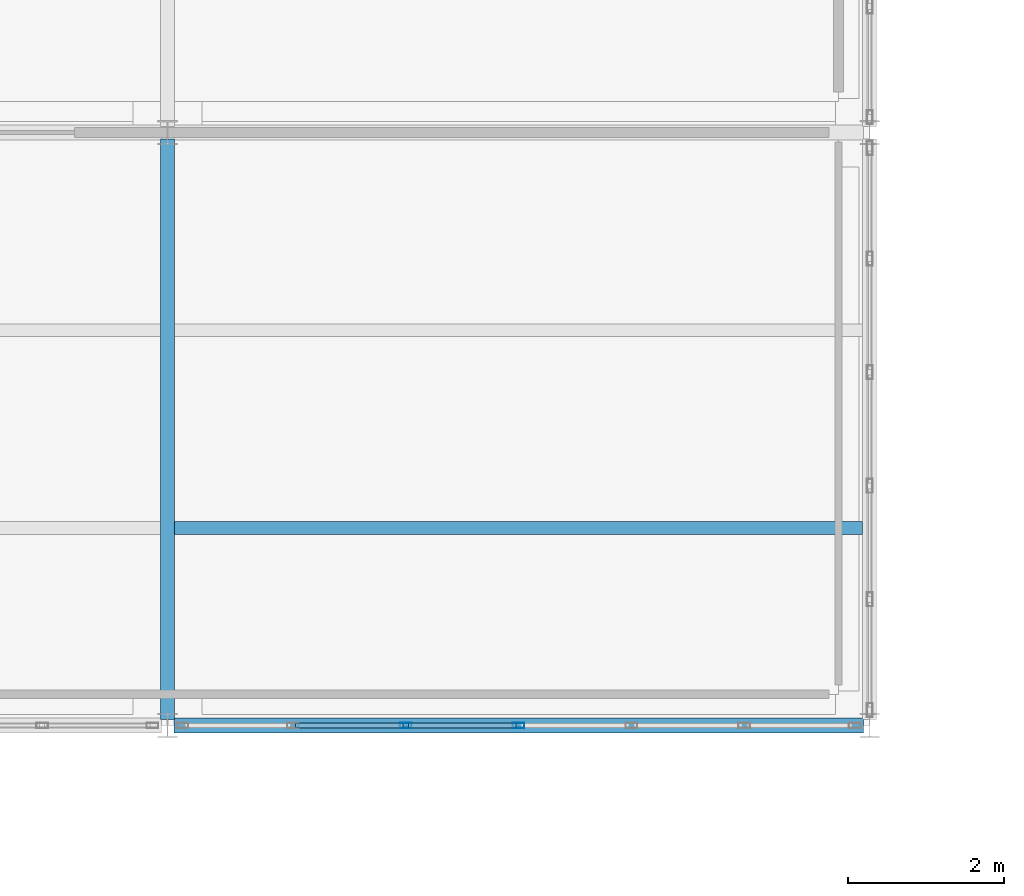
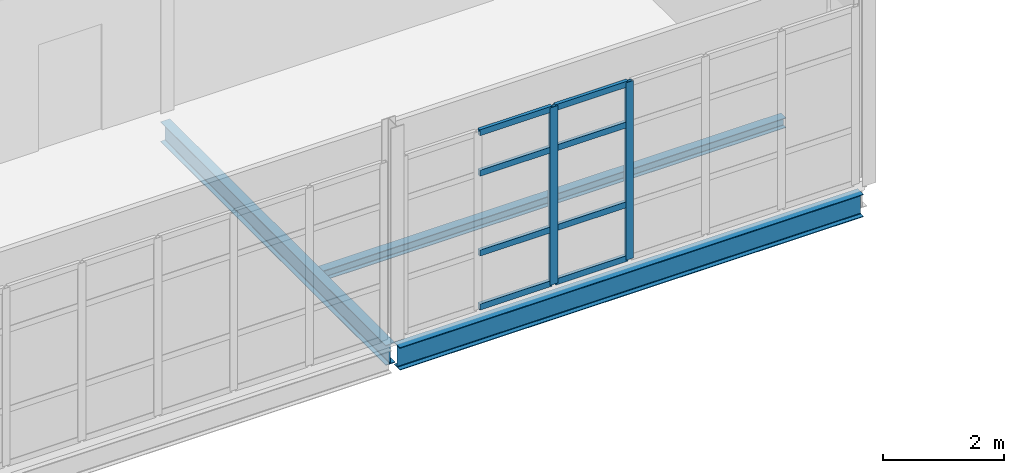
# One storey, part 69 of 174: 10 members, 3 beams, 1 element without a shape of its own.
"""IFC4 building model written with IfcOpenShell, lengths in metres."""

import ifcopenshell
import ifcopenshell.guid

model = None  # the IFC model being written
_history = None  # IfcOwnerHistory: only IFC2X3 demands one
_inside = {}  # id of a spatial element -> (the spatial element, [elements in it])
_under = {}  # id of a project, library or spatial element -> (it, [spatial elements below it])
_declared = {}  # id of a project -> (the project, [libraries it declares])
_typed = {}  # id of a type object -> (the type object, [elements of that type])
_made_of = {}  # id of a material, layer set ... -> (it, [elements and type objects made of it])


def new_model(schema):
    """Start an empty IFC model of exactly this schema.

    Asked for "IFC4X3", IfcOpenShell would pick the latest addendum, in which some entities
    have other attributes; the version numbers below select the first issue.
    IFC2X3 requires an IfcOwnerHistory on every rooted entity: one is made here for all.
    """
    global model, _history
    if schema == "IFC4X3":
        model = ifcopenshell.file(schema_version=(4, 3, 0, 0))
    else:
        model = ifcopenshell.file(schema=schema)
    _inside.clear()
    _under.clear()
    _declared.clear()
    _typed.clear()
    _made_of.clear()
    _history = None
    if model.schema == "IFC2X3":
        org = make("IfcOrganization", Name="unknown")
        user = make(
            "IfcPersonAndOrganization",
            ThePerson=make("IfcPerson", FamilyName="unknown"),
            TheOrganization=org,
        )
        app = make(
            "IfcApplication",
            ApplicationDeveloper=org,
            Version="unknown",
            ApplicationFullName="unknown",
            ApplicationIdentifier="unknown",
        )
        _history = make(
            "IfcOwnerHistory",
            OwningUser=user,
            OwningApplication=app,
            ChangeAction="ADDED",
            CreationDate=0,
        )
    return model


def make(cls, **values):
    """One entity of the class cls with the attributes given. An attribute that is None is left unset."""
    return model.create_entity(
        cls, **{name: value for name, value in values.items() if value is not None}
    )


def rooted(cls, **values):
    """An entity with a GlobalId (a new one), such as an element, a storey or a relation."""
    return make(cls, GlobalId=ifcopenshell.guid.new(), OwnerHistory=_history, **values)


def si_unit(unit_type, name, prefix=None):
    """IfcSIUnit, for example si_unit("LENGTHUNIT", "METRE", prefix="MILLI")."""
    return make("IfcSIUnit", UnitType=unit_type, Prefix=prefix, Name=name)


def assignment(units):
    """IfcUnitAssignment: the units of a project."""
    return None if units is None else make("IfcUnitAssignment", Units=units)


def point(xyz):
    """IfcCartesianPoint."""
    return None if xyz is None else make("IfcCartesianPoint", Coordinates=xyz)


def direction(xyz):
    """IfcDirection."""
    return None if xyz is None else make("IfcDirection", DirectionRatios=xyz)


def frame(location, z_axis=None, x_axis=None):
    """IfcAxis2Placement3D, a coordinate frame: its origin and axes. An axis left out is left unset."""
    return make(
        "IfcAxis2Placement3D",
        Location=point(location),
        Axis=direction(z_axis),
        RefDirection=direction(x_axis),
    )


def frame_2d(location, x_axis=None):
    """IfcAxis2Placement2D, a coordinate frame in the plane: its origin and x axis."""
    return make(
        "IfcAxis2Placement2D", Location=point(location), RefDirection=direction(x_axis)
    )


def origin():
    """The frame at (0, 0, 0) with its axes left unset."""
    return frame((0.0, 0.0, 0.0))


def origin_2d():
    """The frame at (0, 0) in the plane with its x axis left unset."""
    return frame_2d((0.0, 0.0))


def place(relative_to, where):
    """IfcLocalPlacement: puts the frame where relative to a parent placement (None: the world)."""
    return make(
        "IfcLocalPlacement", PlacementRelTo=relative_to, RelativePlacement=where
    )


def context(
    kind, dimensions, precision=None, world=None, true_north=None, identifier=None
):
    """IfcGeometricRepresentationContext, for example the 3D "Model" context."""
    return make(
        "IfcGeometricRepresentationContext",
        ContextIdentifier=identifier,
        ContextType=kind,
        CoordinateSpaceDimension=dimensions,
        Precision=precision,
        WorldCoordinateSystem=world,
        TrueNorth=true_north,
    )


def subcontext(parent, identifier, kind, view, scale=None):
    """IfcGeometricRepresentationSubContext, for example "Body" below "Model"."""
    return make(
        "IfcGeometricRepresentationSubContext",
        ContextIdentifier=identifier,
        ContextType=kind,
        ParentContext=parent,
        TargetScale=scale,
        TargetView=view,
    )


def project(units=None, contexts=None):
    """IfcProject with its units and contexts."""
    return rooted(
        "IfcProject",
        Name="project",
        RepresentationContexts=contexts,
        UnitsInContext=assignment(units),
    )


def spatial(cls, under=None, at=None, **own):
    """A site, building, storey or space (cls), placed at a placement, below another one or the project."""
    s = rooted(cls, ObjectPlacement=at, **own)
    if under is not None:
        _under.setdefault(under.id(), (under, []))[1].append(s)
    return s


def profile(cls, at=None, kind="AREA", **sizes):
    """A parametric profile (cls). Its sizes go by their IFC names, for example OverallWidth=200.0."""
    return make(cls, ProfileType=kind, Position=at, **sizes)


def hollow_rectangle(**sizes):
    """IfcRectangleHollowProfileDef."""
    return profile("IfcRectangleHollowProfileDef", **sizes)


def i_section(**sizes):
    """IfcIShapeProfileDef."""
    return profile("IfcIShapeProfileDef", **sizes)


def extrude(swept, where, along, depth):
    """IfcExtrudedAreaSolid: the profile swept, set in the frame where, extruded along a direction by depth."""
    return make(
        "IfcExtrudedAreaSolid",
        SweptArea=swept,
        Position=where,
        ExtrudedDirection=direction(along),
        Depth=depth,
    )


def shape(context_of_items, identifier, shape_type, items):
    """IfcShapeRepresentation: the items that make up one representation, for example the "Body"."""
    return make(
        "IfcShapeRepresentation",
        ContextOfItems=context_of_items,
        RepresentationIdentifier=identifier,
        RepresentationType=shape_type,
        Items=items,
    )


def material(Name=None, Category=None):
    """IfcMaterial."""
    return make("IfcMaterial", Name=Name, Category=Category)


def material_profile(
    of_material, cross_section, Name=None, Category=None, Priority=None
):
    """IfcMaterialProfile: a cross section and its material."""
    return make(
        "IfcMaterialProfile",
        Name=Name,
        Material=of_material,
        Profile=cross_section,
        Priority=Priority,
        Category=Category,
    )


def profile_set(profiles, Name=None, composite=None):
    """IfcMaterialProfileSet."""
    return make(
        "IfcMaterialProfileSet",
        Name=Name,
        MaterialProfiles=profiles,
        CompositeProfile=composite,
    )


def made_of(thing, what):
    """Note that an element or type object is made of a material, layer set ...; save() writes the relation."""
    if what is not None:
        _made_of.setdefault(what.id(), (what, []))[1].append(thing)
    return thing


def type_object(cls, material=None, **own):
    """A type object (cls), such as IfcWallType, which elements share."""
    return made_of(rooted(cls, **own), material)


def element(
    cls,
    number,
    at=None,
    inside=None,
    cuts=None,
    type_object=None,
    material=None,
    context=None,
    identifier="Body",
    shape_type=None,
    held_by="IfcProductDefinitionShape",
    body=None,
    shapes=None,
    **own,
):
    """One element of the class cls, such as IfcWall. Its Tag is "e" and its number.

    at: its placement. inside: the storey or other place that contains it. cuts: it is an
    opening in that element (IfcRelVoidsElement). A single representation is given by context,
    identifier, shape_type and body (its items); several are given by shapes. held_by: the class
    of the entity that holds the representations. save() writes the other relations.
    """
    e = rooted(cls, Tag="e%d" % number, ObjectPlacement=at, **own)
    if body is not None:
        shapes = [shape(context, identifier, shape_type, body)]
    if shapes is not None:
        e.Representation = make(held_by, Representations=shapes)
    if inside is not None:
        _inside.setdefault(inside.id(), (inside, []))[1].append(e)
    if cuts is not None:
        rooted(
            "IfcRelVoidsElement", RelatingBuildingElement=cuts, RelatedOpeningElement=e
        )
    if type_object is not None:
        _typed.setdefault(type_object.id(), (type_object, []))[1].append(e)
    return made_of(e, material)


def aggregate(whole, parts):
    """IfcRelAggregates: a whole, such as a stair, and the parts it consists of."""
    return rooted("IfcRelAggregates", RelatingObject=whole, RelatedObjects=parts)


def save(model, path):
    """Write the relations noted so far, then the file.

    IfcRelAggregates (storeys below a building ...), IfcRelContainedInSpatialStructure (elements
    in a storey), IfcRelDefinesByType, IfcRelAssociatesMaterial and IfcRelDeclares: one each for
    every whole, place, type object, material and project.
    """
    for whole, parts in _under.values():
        aggregate(whole, parts)
    for where, things in _inside.values():
        rooted(
            "IfcRelContainedInSpatialStructure",
            RelatedElements=things,
            RelatingStructure=where,
        )
    for kind, things in _typed.values():
        rooted("IfcRelDefinesByType", RelatedObjects=things, RelatingType=kind)
    for what, things in _made_of.values():
        rooted("IfcRelAssociatesMaterial", RelatedObjects=things, RelatingMaterial=what)
    for by, libraries in _declared.values():
        rooted("IfcRelDeclares", RelatingContext=by, RelatedDefinitions=libraries)
    model.write(path)


model = new_model("IFC4")

# Units and contexts
model_context = context("Model", 3, precision=1e-05, world=origin(), true_north=direction((0.0, 1.0)))
body_context = subcontext(model_context, "Body", "Model", "MODEL_VIEW")
ifc_project = project(units=[si_unit("LENGTHUNIT", "METRE"), si_unit("AREAUNIT", "SQUARE_METRE"), si_unit("VOLUMEUNIT", "CUBIC_METRE"), si_unit("PLANEANGLEUNIT", "RADIAN"), si_unit("MASSUNIT", "GRAM", prefix="KILO")], contexts=[model_context])

# Site, building, storey
site_placement = place(None, origin())
site = spatial("IfcSite", under=ifc_project, at=site_placement, CompositionType="ELEMENT")
building_placement = place(site_placement, origin())
building = spatial("IfcBuilding", under=site, at=building_placement, Name="Caisbarro Railhouse Central Library", CompositionType="ELEMENT")
storey_placement = place(building_placement, frame((0.0, 0.0, 5.0400390625)))
storey = spatial("IfcBuildingStorey", under=building, at=storey_placement, Name="L01", CompositionType="ELEMENT", Elevation=5.0400390625)

# Beams
ifc_material_1 = material(Name="Steel ASTM A572 Grade 50", Category="steel")
ifc_material_profile_1 = material_profile(ifc_material_1, i_section(OverallWidth=0.177978515625, OverallDepth=0.406982421875, WebThickness=0.0078125, FlangeThickness=0.0126953125, FilletRadius=0.01611328125, at=origin_2d()), Name="W410X60.0")
ifc_profile_set_1 = profile_set([ifc_material_profile_1], Name="Steel ASTM A572 Grade 50")
beam_type_1 = type_object("IfcBeamType", Name="BM-G10", PredefinedType="BEAM", material=ifc_profile_set_1)
beam_1_placement = place(storey_placement, frame((27.0, 83.679931640625, -0.403564453125), z_axis=(0.0, 1.0, 0.0), x_axis=(-1.0, 0.0, 0.0)))
element("IfcBeam", 1, at=beam_1_placement, inside=storey, type_object=beam_type_1, Name="G10 beam L01 #1033", PredefinedType="BEAM", context=body_context, shape_type="SweptSolid", body=[
    extrude(i_section(OverallWidth=0.177978515625, OverallDepth=0.406982421875, WebThickness=0.0078125, FlangeThickness=0.0126953125, FilletRadius=0.01611328125, at=origin_2d()), origin(), (0.0, 0.0, 1.0), 7.440185546875),
])
ifc_material_profile_2 = material_profile(ifc_material_1, i_section(OverallWidth=0.1650390625, OverallDepth=0.200927734375, WebThickness=0.006103515625, FlangeThickness=0.01025390625, FilletRadius=0.010009765625, at=origin_2d()), Name="W200X35.9")
ifc_profile_set_2 = profile_set([ifc_material_profile_2], Name="Steel ASTM A572 Grade 50")
beam_type_2 = type_object("IfcBeamType", Name="BM-J06", PredefinedType="JOIST", material=ifc_profile_set_2)
beam_2_placement = place(storey_placement, frame((27.089111328125, 86.13330078125, -0.300537109375), z_axis=(1.0, 0.0, 0.0), x_axis=(0.0, 1.0, 0.0)))
element("IfcBeam", 2, at=beam_2_placement, inside=storey, type_object=beam_type_2, Name="J06 beam L01 #1051", PredefinedType="JOIST", context=body_context, shape_type="SweptSolid", body=[
    extrude(i_section(OverallWidth=0.1650390625, OverallDepth=0.200927734375, WebThickness=0.006103515625, FlangeThickness=0.01025390625, FilletRadius=0.010009765625, at=origin_2d()), origin(), (0.0, 0.0, 1.0), 8.82177734375),
])
ifc_material_profile_3 = material_profile(ifc_material_1, i_section(OverallWidth=0.18994140625, OverallDepth=0.45703125, WebThickness=0.009033203125, FlangeThickness=0.014404296875, FilletRadius=0.01806640625, at=origin_2d()), Name="W460X74.0")
ifc_profile_set_3 = profile_set([ifc_material_profile_3], Name="Steel ASTM A572 Grade 50")
beam_type_3 = type_object("IfcBeamType", Name="BM-SP01", PredefinedType="SPANDREL", material=ifc_profile_set_3)
beam_3_placement = place(storey_placement, frame((27.080078125, 83.60009765625, -0.428466796875), z_axis=(1.0, 0.0, 0.0), x_axis=(0.0, 1.0, 0.0)))
element("IfcBeam", 3, at=beam_3_placement, inside=storey, type_object=beam_type_3, Name="SP01 beam L01 #1011", PredefinedType="SPANDREL", context=body_context, shape_type="SweptSolid", body=[
    extrude(i_section(OverallWidth=0.18994140625, OverallDepth=0.45703125, WebThickness=0.009033203125, FlangeThickness=0.014404296875, FilletRadius=0.01806640625, at=origin_2d()), origin(), (0.0, 0.0, 1.0), 8.83984375),
])

# Curtain wall, members
ifc_material_2 = material(Name="Anodised architectural aluminium", Category="aluminium")
curtain_wall_type = type_object("IfcCurtainWallType", Name="CW-CW02", PredefinedType="NOTDEFINED", material=ifc_material_2)
curtain_wall_placement = place(storey_placement, origin())
curtain_wall = element("IfcCurtainWall", 4, at=curtain_wall_placement, inside=storey, type_object=curtain_wall_type, Name="CW02 curtain wall L01 #82", PredefinedType="NOTDEFINED")
ifc_material_profile_4 = material_profile(ifc_material_2, hollow_rectangle(XDim=0.06494140625, YDim=0.14990234375, WallThickness=0.00390625, at=origin_2d()), Name="ALU-MUL-65X150")
ifc_profile_set_4 = profile_set([ifc_material_profile_4], Name="Anodised architectural aluminium")
member_type_1 = type_object("IfcMemberType", Name="CWM-M02", PredefinedType="MULLION", material=ifc_profile_set_4)
member_1_placement = place(storey_placement, frame((30.05322265625, 83.60009765625, 0.0), z_axis=(0.0, 0.0, 1.0), x_axis=(0.0, 1.0, 0.0)))
member_1 = element("IfcMember", 5, at=member_1_placement, type_object=member_type_1, Name="CW02 mullion 3", PredefinedType="MULLION", context=body_context, shape_type="SweptSolid", body=[
    extrude(hollow_rectangle(XDim=0.06494140625, YDim=0.14990234375, WallThickness=0.00390625, at=origin_2d()), origin(), (0.0, 0.0, 1.0), 3.580078125),
])
member_2_placement = place(storey_placement, frame((31.5, 83.60009765625, 0.0), z_axis=(0.0, 0.0, 1.0), x_axis=(0.0, 1.0, 0.0)))
member_2 = element("IfcMember", 6, at=member_2_placement, type_object=member_type_1, Name="CW02 mullion 4", PredefinedType="MULLION", context=body_context, shape_type="SweptSolid", body=[
    extrude(hollow_rectangle(XDim=0.06494140625, YDim=0.14990234375, WallThickness=0.00390625, at=origin_2d()), origin(), (0.0, 0.0, 1.0), 3.580078125),
])
ifc_material_profile_5 = material_profile(ifc_material_2, hollow_rectangle(XDim=0.06494140625, YDim=0.1201171875, WallThickness=0.00341796875, at=origin_2d()), Name="ALU-TRN-65X120")
ifc_profile_set_5 = profile_set([ifc_material_profile_5], Name="Anodised architectural aluminium")
member_type_2 = type_object("IfcMemberType", Name="CWT-T02", PredefinedType="USERDEFINED", material=ifc_profile_set_5)
member_3_placement = place(storey_placement, frame((28.63916015625, 83.60009765625, 0.032470703125), z_axis=(1.0, 0.0, 0.0), x_axis=(0.0, 1.0, 0.0)))
member_3 = element("IfcMember", 7, at=member_3_placement, type_object=member_type_2, Name="CW02 transom 2.1", ObjectType="TRANSOM", PredefinedType="USERDEFINED", context=body_context, shape_type="SweptSolid", body=[
    extrude(hollow_rectangle(XDim=0.06494140625, YDim=0.1201171875, WallThickness=0.00341796875, at=origin_2d()), origin(), (0.0, 0.0, 1.0), 1.381591796875),
])
member_4_placement = place(storey_placement, frame((28.63916015625, 83.60009765625, 1.119873046875), z_axis=(1.0, 0.0, 0.0), x_axis=(0.0, 1.0, 0.0)))
member_4 = element("IfcMember", 8, at=member_4_placement, type_object=member_type_2, Name="CW02 transom 2.2", ObjectType="TRANSOM", PredefinedType="USERDEFINED", context=body_context, shape_type="SweptSolid", body=[
    extrude(hollow_rectangle(XDim=0.06494140625, YDim=0.1201171875, WallThickness=0.00341796875, at=origin_2d()), origin(), (0.0, 0.0, 1.0), 1.381591796875),
])
member_5_placement = place(storey_placement, frame((28.63916015625, 83.60009765625, 2.72998046875), z_axis=(1.0, 0.0, 0.0), x_axis=(0.0, 1.0, 0.0)))
member_5 = element("IfcMember", 9, at=member_5_placement, type_object=member_type_2, Name="CW02 transom 2.3", ObjectType="TRANSOM", PredefinedType="USERDEFINED", context=body_context, shape_type="SweptSolid", body=[
    extrude(hollow_rectangle(XDim=0.06494140625, YDim=0.1201171875, WallThickness=0.00341796875, at=origin_2d()), origin(), (0.0, 0.0, 1.0), 1.381591796875),
])
member_6_placement = place(storey_placement, frame((28.63916015625, 83.60009765625, 3.54736328125), z_axis=(1.0, 0.0, 0.0), x_axis=(0.0, 1.0, 0.0)))
member_6 = element("IfcMember", 10, at=member_6_placement, type_object=member_type_2, Name="CW02 transom 2.4", ObjectType="TRANSOM", PredefinedType="USERDEFINED", context=body_context, shape_type="SweptSolid", body=[
    extrude(hollow_rectangle(XDim=0.06494140625, YDim=0.1201171875, WallThickness=0.00341796875, at=origin_2d()), origin(), (0.0, 0.0, 1.0), 1.381591796875),
])
member_7_placement = place(storey_placement, frame((30.0859375, 83.60009765625, 0.032470703125), z_axis=(1.0, 0.0, 0.0), x_axis=(0.0, 1.0, 0.0)))
member_7 = element("IfcMember", 11, at=member_7_placement, type_object=member_type_2, Name="CW02 transom 3.1", ObjectType="TRANSOM", PredefinedType="USERDEFINED", context=body_context, shape_type="SweptSolid", body=[
    extrude(hollow_rectangle(XDim=0.06494140625, YDim=0.1201171875, WallThickness=0.00341796875, at=origin_2d()), origin(), (0.0, 0.0, 1.0), 1.381591796875),
])
member_8_placement = place(storey_placement, frame((30.0859375, 83.60009765625, 1.119873046875), z_axis=(1.0, 0.0, 0.0), x_axis=(0.0, 1.0, 0.0)))
member_8 = element("IfcMember", 12, at=member_8_placement, type_object=member_type_2, Name="CW02 transom 3.2", ObjectType="TRANSOM", PredefinedType="USERDEFINED", context=body_context, shape_type="SweptSolid", body=[
    extrude(hollow_rectangle(XDim=0.06494140625, YDim=0.1201171875, WallThickness=0.00341796875, at=origin_2d()), origin(), (0.0, 0.0, 1.0), 1.381591796875),
])
member_9_placement = place(storey_placement, frame((30.0859375, 83.60009765625, 2.72998046875), z_axis=(1.0, 0.0, 0.0), x_axis=(0.0, 1.0, 0.0)))
member_9 = element("IfcMember", 13, at=member_9_placement, type_object=member_type_2, Name="CW02 transom 3.3", ObjectType="TRANSOM", PredefinedType="USERDEFINED", context=body_context, shape_type="SweptSolid", body=[
    extrude(hollow_rectangle(XDim=0.06494140625, YDim=0.1201171875, WallThickness=0.00341796875, at=origin_2d()), origin(), (0.0, 0.0, 1.0), 1.381591796875),
])
member_10_placement = place(storey_placement, frame((30.0859375, 83.60009765625, 3.54736328125), z_axis=(1.0, 0.0, 0.0), x_axis=(0.0, 1.0, 0.0)))
member_10 = element("IfcMember", 14, at=member_10_placement, type_object=member_type_2, Name="CW02 transom 3.4", ObjectType="TRANSOM", PredefinedType="USERDEFINED", context=body_context, shape_type="SweptSolid", body=[
    extrude(hollow_rectangle(XDim=0.06494140625, YDim=0.1201171875, WallThickness=0.00341796875, at=origin_2d()), origin(), (0.0, 0.0, 1.0), 1.381591796875),
])
aggregate(curtain_wall, [member_1, member_2, member_3, member_4, member_5, member_6, member_7, member_8, member_9, member_10])

save(model, "model.ifc")
